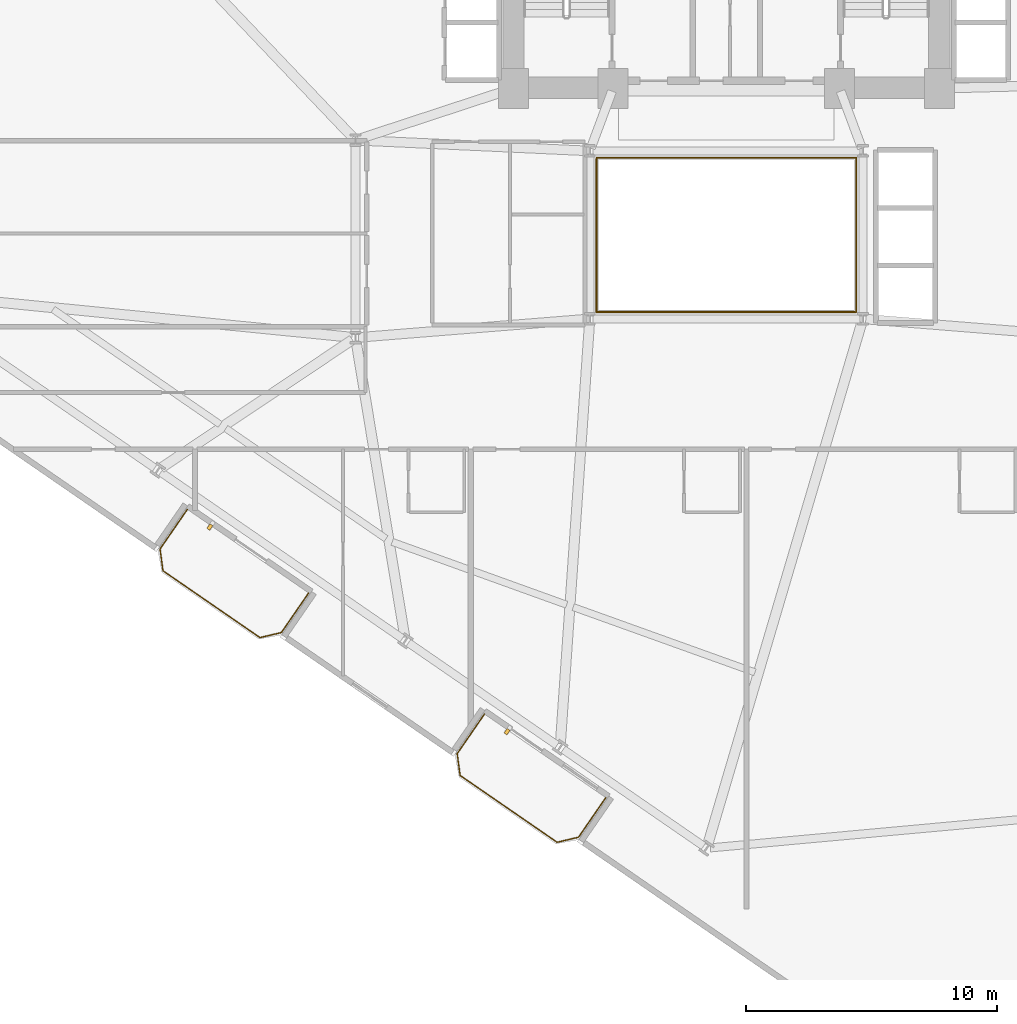
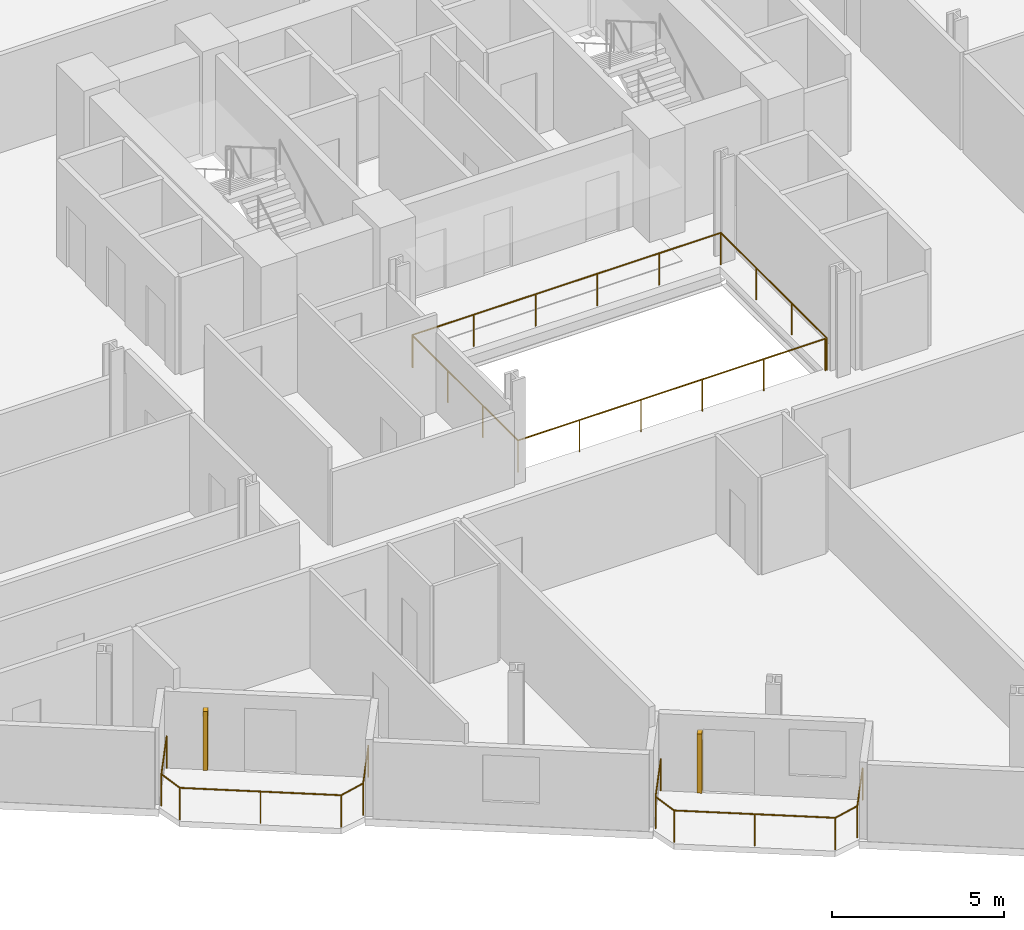
# One storey, part 22 of 24: 4 railings, 2 shading devices.
"""IFC4 building model written with IfcOpenShell, lengths in metres."""

from ifc_helpers import new_model, si_unit, direction, frame, origin, origin_2d, place, context, subcontext, project, spatial, rectangle, circle, extrude, source, transform, mapped, material, type_object, element, save


model = new_model("IFC4")

# Units and contexts
model_context = context("Model", 3, precision=1e-05, world=origin(), true_north=direction((0.0, 1.0)))
body_context = subcontext(model_context, "Body", "Model", "MODEL_VIEW")
ifc_project = project(units=[si_unit("LENGTHUNIT", "METRE"), si_unit("AREAUNIT", "SQUARE_METRE"), si_unit("VOLUMEUNIT", "CUBIC_METRE"), si_unit("PLANEANGLEUNIT", "RADIAN"), si_unit("MASSUNIT", "GRAM", prefix="KILO")], contexts=[model_context])

# Site, building, storey
site_placement = place(None, origin())
site = spatial("IfcSite", under=ifc_project, at=site_placement, CompositionType="ELEMENT")
building_placement = place(site_placement, origin())
building = spatial("IfcBuilding", under=site, at=building_placement, Name="Varnelok Gate Tower", CompositionType="ELEMENT")
storey_placement = place(building_placement, frame((0.0, 0.0, 41.800048828125)))
storey = spatial("IfcBuildingStorey", under=building, at=storey_placement, Name="L09", CompositionType="ELEMENT", Elevation=41.800048828125)

# Railings
ifc_material_1 = material(Name="Tempered Laminated Balustrade Glass", Category="glass")
railing_type_1 = type_object("IfcRailingType", Name="RL-ATR-GUARD1150", PredefinedType="GUARDRAIL", material=ifc_material_1)
railing_1_placement = place(storey_placement, frame((34.02001953125, 25.929931640625, 0.0)))
element("IfcRailing", 1, at=railing_1_placement, inside=storey, type_object=railing_type_1, Name="L09 Internal Atrium South-West Guardrail", PredefinedType="GUARDRAIL", context=body_context, shape_type="SweptSolid", body=[
    extrude(circle(Radius=0.02392578125, at=origin_2d()), frame((0.0, 0.0, 1.1259765625), z_axis=(0.0, -1.0, 0.0), x_axis=(1.0, 0.0, 0.0)), (0.0, 0.0, 1.0), 6.10986328125),
    extrude(circle(Radius=0.02392578125, at=origin_2d()), frame((0.0, -6.10986328125, 1.1259765625), z_axis=(1.0, 0.0, 0.0), x_axis=(0.0, 1.0, 0.0)), (0.0, 0.0, 1.0), 10.31005859375),
    extrude(circle(Radius=0.02099609375, at=origin_2d()), origin(), (0.0, 0.0, 1.0), 1.101806640625),
    extrude(circle(Radius=0.02099609375, at=origin_2d()), frame((0.0, -2.03662109375, 0.0)), (0.0, 0.0, 1.0), 1.101806640625),
    extrude(circle(Radius=0.02099609375, at=origin_2d()), frame((0.0, -4.0732421875, 0.0)), (0.0, 0.0, 1.0), 1.101806640625),
    extrude(circle(Radius=0.02099609375, at=origin_2d()), frame((0.0, -6.10986328125, 0.0)), (0.0, 0.0, 1.0), 1.101806640625),
    extrude(circle(Radius=0.02099609375, at=origin_2d()), frame((2.06201171875, -6.10986328125, 0.0)), (0.0, 0.0, 1.0), 1.101806640625),
    extrude(circle(Radius=0.02099609375, at=origin_2d()), frame((4.1240234375, -6.10986328125, 0.0)), (0.0, 0.0, 1.0), 1.101806640625),
    extrude(circle(Radius=0.02099609375, at=origin_2d()), frame((6.18603515625, -6.10986328125, 0.0)), (0.0, 0.0, 1.0), 1.101806640625),
    extrude(circle(Radius=0.02099609375, at=origin_2d()), frame((8.248046875, -6.10986328125, 0.0)), (0.0, 0.0, 1.0), 1.101806640625),
    extrude(circle(Radius=0.02099609375, at=origin_2d()), frame((10.31005859375, -6.10986328125, 0.0)), (0.0, 0.0, 1.0), 1.101806640625),
])
railing_2_placement = place(storey_placement, frame((44.3798828125, 19.820068359375, 0.0)))
element("IfcRailing", 2, at=railing_2_placement, inside=storey, type_object=railing_type_1, Name="L09 Internal Atrium North-East Guardrail", PredefinedType="GUARDRAIL", context=body_context, shape_type="SweptSolid", body=[
    extrude(circle(Radius=0.02392578125, at=origin_2d()), frame((0.0, 0.0, 1.1259765625), z_axis=(0.0, 1.0, 0.0), x_axis=(-1.0, 0.0, 0.0)), (0.0, 0.0, 1.0), 6.159912109375),
    extrude(circle(Radius=0.02392578125, at=origin_2d()), frame((0.0, 6.159912109375, 1.1259765625), z_axis=(-1.0, 0.0, 0.0), x_axis=(0.0, -1.0, 0.0)), (0.0, 0.0, 1.0), 10.35986328125),
    extrude(circle(Radius=0.02099609375, at=origin_2d()), origin(), (0.0, 0.0, 1.0), 1.101806640625),
    extrude(circle(Radius=0.02099609375, at=origin_2d()), frame((0.0, 2.05322265625, 0.0)), (0.0, 0.0, 1.0), 1.101806640625),
    extrude(circle(Radius=0.02099609375, at=origin_2d()), frame((0.0, 4.106689453125, 0.0)), (0.0, 0.0, 1.0), 1.101806640625),
    extrude(circle(Radius=0.02099609375, at=origin_2d()), frame((0.0, 6.159912109375, 0.0)), (0.0, 0.0, 1.0), 1.101806640625),
    extrude(circle(Radius=0.02099609375, at=origin_2d()), frame((-2.072021484375, 6.159912109375, 0.0)), (0.0, 0.0, 1.0), 1.101806640625),
    extrude(circle(Radius=0.02099609375, at=origin_2d()), frame((-4.14404296875, 6.159912109375, 0.0)), (0.0, 0.0, 1.0), 1.101806640625),
    extrude(circle(Radius=0.02099609375, at=origin_2d()), frame((-6.2158203125, 6.159912109375, 0.0)), (0.0, 0.0, 1.0), 1.101806640625),
    extrude(circle(Radius=0.02099609375, at=origin_2d()), frame((-8.287841796875, 6.159912109375, 0.0)), (0.0, 0.0, 1.0), 1.101806640625),
    extrude(circle(Radius=0.02099609375, at=origin_2d()), frame((-10.35986328125, 6.159912109375, 0.0)), (0.0, 0.0, 1.0), 1.101806640625),
])
ifc_material_2 = material(Name="Low-E Laminated Double Glazing IGU", Category="glass")
railing_type_2 = type_object("IfcRailingType", Name="RL-BALC-1150", PredefinedType="BALUSTRADE", material=ifc_material_2)
railing_3_placement = place(storey_placement, frame((17.688720703125, 11.9462890625, 0.0)))
element("IfcRailing", 3, at=railing_3_placement, inside=storey, type_object=railing_type_2, Name="L09 South Terrace Balustrade 1", PredefinedType="BALUSTRADE", context=body_context, shape_type="SweptSolid", body=[
    extrude(circle(Radius=0.02392578125, at=origin_2d()), frame((0.0, 0.0, 1.1259765625), z_axis=(-0.567224752248, -0.823563039747, 0.0), x_axis=(0.823563039747, -0.567224752248, 0.0)), (0.0, 0.0, 1.0), 1.920166015625),
    extrude(circle(Radius=0.02392578125, at=origin_2d()), frame((-1.089111328125, -1.581298828125, 1.1259765625), z_axis=(0.133511834152, -0.991047218926, 0.0), x_axis=(0.991047218926, 0.133511834152, 0.0)), (0.0, 0.0, 1.0), 0.877685546875),
    extrude(circle(Radius=0.02392578125, at=origin_2d()), frame((-0.971923828125, -2.451171875, 1.1259765625), z_axis=(0.823523239622, -0.567282534371, 0.0), x_axis=(0.567282534371, 0.823523239622, 0.0)), (0.0, 0.0, 1.0), 4.699951171875),
    extrude(circle(Radius=0.02392578125, at=origin_2d()), frame((2.898681640625, -5.117431640625, 1.1259765625), z_axis=(0.973573806257, 0.228372598553, 0.0), x_axis=(-0.228372598553, 0.973573806257, 0.0)), (0.0, 0.0, 1.0), 0.877685546875),
    extrude(circle(Radius=0.02392578125, at=origin_2d()), frame((3.753173828125, -4.9169921875, 1.1259765625), z_axis=(0.567224752248, 0.823563039747, 0.0), x_axis=(-0.823563039747, 0.567224752248, 0.0)), (0.0, 0.0, 1.0), 1.920166015625),
    extrude(circle(Radius=0.02099609375, at=origin_2d()), origin(), (0.0, 0.0, 1.0), 1.101806640625),
    extrude(circle(Radius=0.02099609375, at=origin_2d()), frame((-1.089111328125, -1.581298828125, 0.0)), (0.0, 0.0, 1.0), 1.101806640625),
    extrude(circle(Radius=0.02099609375, at=origin_2d()), frame((-0.971923828125, -2.451171875, 0.0)), (0.0, 0.0, 1.0), 1.101806640625),
    extrude(circle(Radius=0.02099609375, at=origin_2d()), frame((0.96337890625, -3.7841796875, 0.0)), (0.0, 0.0, 1.0), 1.101806640625),
    extrude(circle(Radius=0.02099609375, at=origin_2d()), frame((2.898681640625, -5.117431640625, 0.0)), (0.0, 0.0, 1.0), 1.101806640625),
    extrude(circle(Radius=0.02099609375, at=origin_2d()), frame((3.753173828125, -4.9169921875, 0.0)), (0.0, 0.0, 1.0), 1.101806640625),
    extrude(circle(Radius=0.02099609375, at=origin_2d()), frame((4.84228515625, -3.335693359375, 0.0)), (0.0, 0.0, 1.0), 1.101806640625),
])
railing_4_placement = place(storey_placement, frame((29.547607421875, 3.777587890625, 0.0)))
element("IfcRailing", 4, at=railing_4_placement, inside=storey, type_object=railing_type_2, Name="L09 South Terrace Balustrade 2", PredefinedType="BALUSTRADE", context=body_context, shape_type="SweptSolid", body=[
    extrude(circle(Radius=0.02392578125, at=origin_2d()), frame((0.0, 0.0, 1.1259765625), z_axis=(-0.567224752248, -0.823563039747, 0.0), x_axis=(0.823563039747, -0.567224752248, 0.0)), (0.0, 0.0, 1.0), 1.920166015625),
    extrude(circle(Radius=0.02392578125, at=origin_2d()), frame((-1.089111328125, -1.581298828125, 1.1259765625), z_axis=(0.133511834152, -0.991047218926, 0.0), x_axis=(0.991047218926, 0.133511834152, 0.0)), (0.0, 0.0, 1.0), 0.877685546875),
    extrude(circle(Radius=0.02392578125, at=origin_2d()), frame((-0.971923828125, -2.451171875, 1.1259765625), z_axis=(0.823523239622, -0.567282534371, 0.0), x_axis=(0.567282534371, 0.823523239622, 0.0)), (0.0, 0.0, 1.0), 4.699951171875),
    extrude(circle(Radius=0.02392578125, at=origin_2d()), frame((2.898681640625, -5.117431640625, 1.1259765625), z_axis=(0.973511928193, 0.228636229993, 0.0), x_axis=(-0.228636229993, 0.973511928193, 0.0)), (0.0, 0.0, 1.0), 0.877685546875),
    extrude(circle(Radius=0.02392578125, at=origin_2d()), frame((3.753173828125, -4.916748046875, 1.1259765625), z_axis=(0.567284155424, 0.82352212296, 0.0), x_axis=(-0.82352212296, 0.567284155424, 0.0)), (0.0, 0.0, 1.0), 1.919921875),
    extrude(circle(Radius=0.02099609375, at=origin_2d()), origin(), (0.0, 0.0, 1.0), 1.101806640625),
    extrude(circle(Radius=0.02099609375, at=origin_2d()), frame((-1.089111328125, -1.581298828125, 0.0)), (0.0, 0.0, 1.0), 1.101806640625),
    extrude(circle(Radius=0.02099609375, at=origin_2d()), frame((-0.971923828125, -2.451171875, 0.0)), (0.0, 0.0, 1.0), 1.101806640625),
    extrude(circle(Radius=0.02099609375, at=origin_2d()), frame((0.96337890625, -3.7841796875, 0.0)), (0.0, 0.0, 1.0), 1.101806640625),
    extrude(circle(Radius=0.02099609375, at=origin_2d()), frame((2.898681640625, -5.117431640625, 0.0)), (0.0, 0.0, 1.0), 1.101806640625),
    extrude(circle(Radius=0.02099609375, at=origin_2d()), frame((3.753173828125, -4.916748046875, 0.0)), (0.0, 0.0, 1.0), 1.101806640625),
    extrude(circle(Radius=0.02099609375, at=origin_2d()), frame((4.84228515625, -3.335693359375, 0.0)), (0.0, 0.0, 1.0), 1.101806640625),
])

# Shading devices
ifc_material_3 = material(Name="Glazed Architectural Terracotta Ceramic", Category="masonry")
shading_device_type = type_object("IfcShadingDeviceType", Name="SHD-TERRA-FIN", PredefinedType="USERDEFINED", material=ifc_material_3)
shared_shape = source(origin(), body_context, "Body", "SweptSolid", [
    extrude(rectangle(XDim=0.139892578125, YDim=0.219970703125, at=origin_2d()), origin(), (0.0, 0.0, 1.0), 2.10009765625),
])
for number, where, z_axis, x_axis, name in (
    (5, (18.587890625, 11.24169921875, 0.099853515625), (0.0, 0.0, 1.0), (0.823532597628, -0.567268949127, 0.0), "L09 Terracotta Ceramic Baguette Sunscreen 1.1"),
    (6, (30.44677734375, 3.072998046875, 0.099853515625), (0.0, 0.0, 1.0), (0.823532597628, -0.567268949127, 0.0), "L09 Terracotta Ceramic Baguette Sunscreen 2.1"),
):
    element("IfcShadingDevice", number, at=place(storey_placement, frame(where, z_axis=z_axis, x_axis=x_axis)), inside=storey, type_object=shading_device_type, Name=name, ObjectType="BAGUETTE", PredefinedType="USERDEFINED", context=body_context, shape_type="MappedRepresentation", body=[
        mapped(shared_shape, transform((0.0, 0.0, 0.0), scale=1.0)),
    ])

save(model, "model.ifc")
